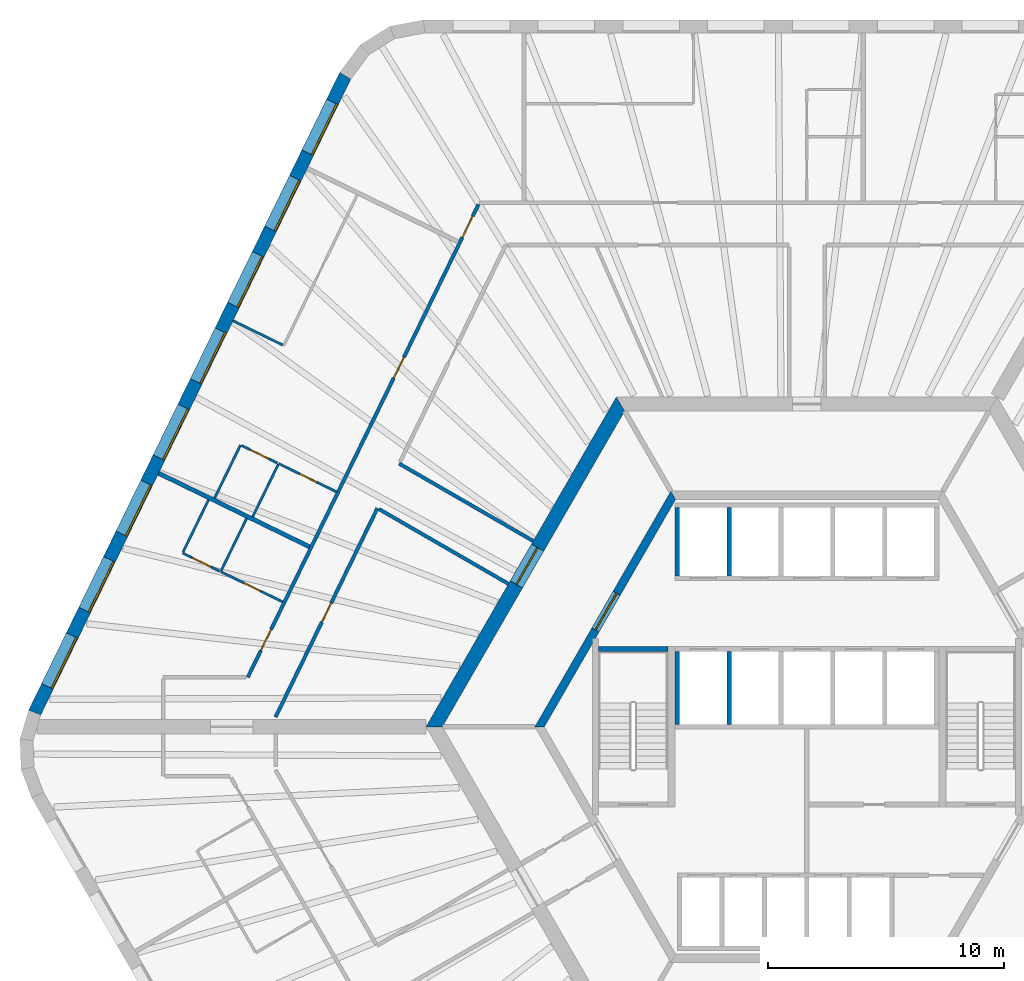
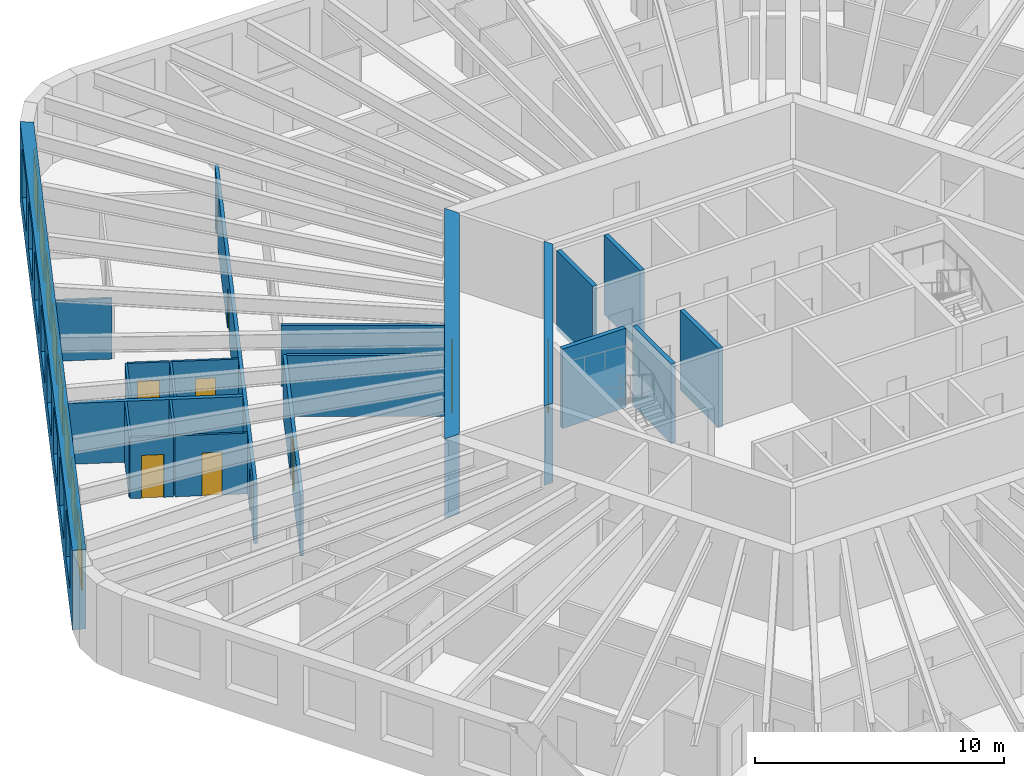
# One storey, part 7 of 12: 22 walls, 10 doors, 8 windows, 18 openings.
"""IFC4 building model written with IfcOpenShell, lengths in metres."""

from ifc_helpers import new_model, si_unit, direction, frame, frame_2d, origin, place, context, subcontext, project, spatial, polyline, rectangle, outline, extrude, material, layer, layer_set, type_object, element, fill, save


model = new_model("IFC4")

# Units and contexts
model_context = context("Model", 3, precision=1e-05, world=origin(), true_north=direction((0.0, 1.0)))
body_context = subcontext(model_context, "Body", "Model", "MODEL_VIEW")
ifc_project = project(units=[si_unit("LENGTHUNIT", "METRE"), si_unit("AREAUNIT", "SQUARE_METRE"), si_unit("VOLUMEUNIT", "CUBIC_METRE"), si_unit("PLANEANGLEUNIT", "RADIAN"), si_unit("MASSUNIT", "GRAM", prefix="KILO")], contexts=[model_context])

# Site, building, storey
site_placement = place(None, origin())
site = spatial("IfcSite", under=ifc_project, at=site_placement, CompositionType="ELEMENT")
building_placement = place(site_placement, origin())
building = spatial("IfcBuilding", under=site, at=building_placement, Name="Tarnside Tower", CompositionType="ELEMENT")
storey_placement = place(building_placement, frame((0.0, 0.0, 96.0)))
storey = spatial("IfcBuildingStorey", under=building, at=storey_placement, Name="L21", CompositionType="ELEMENT", Elevation=96.0)

# Wall, opening, door
ifc_material_1 = material(Name="Gypsum board partition on steel studs", Category="steel")
ifc_layer_1 = layer(ifc_material_1, 0.10009765625)
ifc_layer_set_1 = layer_set([ifc_layer_1], Name="Bathroom wall 100")
wall_type_1 = type_object("IfcWallType", Name="Bathroom wall 100", PredefinedType="PARTITIONING", material=ifc_layer_set_1)
wall_1_placement = place(storey_placement, frame((-22.42236328125, 11.1708984375, 0.0), z_axis=(0.0, 0.0, 1.0), x_axis=(0.898791692788, -0.43837597217, 0.0)))
wall_1 = element("IfcWall", 1, at=wall_1_placement, inside=storey, type_object=wall_type_1, Name="Bathroom wall 06095", PredefinedType="PARTITIONING", context=body_context, shape_type="SweptSolid", body=[
    extrude(rectangle(XDim=2.72509765625, YDim=0.10009765625, at=frame_2d((1.362548828125, 0.0))), origin(), (0.0, 0.0, 1.0), 2.98779296875),
])
opening_1_placement = place(wall_1_placement, frame((1.0, 0.0, 0.0)))
opening_1 = element("IfcOpeningElement", 2, at=opening_1_placement, cuts=wall_1, Name="Opening D-B1", PredefinedType="OPENING", context=body_context, shape_type="SweptSolid", body=[
    extrude(rectangle(XDim=0.800048828125, YDim=2.10009765625, at=frame_2d((0.39990234375, 1.050048828125))), frame((0.0, 0.06005859375, 0.0), z_axis=(0.0, -1.0, 0.0), x_axis=(1.0, 0.0, 0.0)), (0.0, 0.0, 1.0), 0.1201171875),
])
ifc_material_2 = material(Name="Timber door leaf", Category="wood")
door_type_1 = type_object("IfcDoorType", Name="Bathroom door 800", OperationType="NOTDEFINED", PredefinedType="DOOR", material=ifc_material_2)
door_1_placement = place(opening_1_placement, origin())
door_1 = element("IfcDoor", 3, at=door_1_placement, inside=storey, type_object=door_type_1, Name="Bathroom door 06010", OperationType="SINGLE_SWING_LEFT", OverallHeight=2.10009765625, OverallWidth=0.800048828125, PredefinedType="DOOR", context=body_context, shape_type="SweptSolid", body=[
    extrude(rectangle(XDim=0.800048828125, YDim=2.10009765625, at=frame_2d((0.39990234375, 1.050048828125))), frame((0.0, 0.02490234375, 0.0), z_axis=(0.0, -1.0, 0.0), x_axis=(1.0, 0.0, 0.0)), (0.0, 0.0, 1.0), 0.050048828125),
])
fill(opening_1, door_1)

# Wall
wall_2_placement = place(storey_placement, frame((-22.444091796875, 11.1259765625, 0.0), z_axis=(0.0, 0.0, 1.0), x_axis=(-0.438378657462, -0.89879038306, 0.0)))
element("IfcWall", 4, at=wall_2_placement, inside=storey, type_object=wall_type_1, Name="Bathroom wall 06102", PredefinedType="PARTITIONING", context=body_context, shape_type="SweptSolid", body=[
    extrude(rectangle(XDim=2.4599609375, YDim=0.10009765625, at=frame_2d((1.22998046875, 0.0))), origin(), (0.0, 0.0, 1.0), 2.98779296875),
])

# Wall, opening, door
wall_3_placement = place(storey_placement, frame((-22.25244140625, 5.302734375, 0.0), z_axis=(0.0, 0.0, 1.0), x_axis=(-0.89880694479, 0.438344699976, 0.0)))
wall_3 = element("IfcWall", 5, at=wall_3_placement, inside=storey, type_object=wall_type_1, Name="Bathroom wall 06106", PredefinedType="PARTITIONING", context=body_context, shape_type="SweptSolid", body=[
    extrude(rectangle(XDim=2.925048828125, YDim=0.10009765625, at=frame_2d((1.46240234375, 0.0))), origin(), (0.0, 0.0, 1.0), 2.98779296875),
])
opening_2_placement = place(wall_3_placement, frame((1.02490234375, 0.0, 0.0)))
opening_2 = element("IfcOpeningElement", 6, at=opening_2_placement, cuts=wall_3, Name="Opening D-B1", PredefinedType="OPENING", context=body_context, shape_type="SweptSolid", body=[
    extrude(rectangle(XDim=0.800048828125, YDim=2.10009765625, at=frame_2d((0.39990234375, 1.050048828125))), frame((0.0, 0.06005859375, 0.0), z_axis=(0.0, -1.0, 0.0), x_axis=(1.0, 0.0, 0.0)), (0.0, 0.0, 1.0), 0.1201171875),
])
door_2_placement = place(opening_2_placement, origin())
door_2 = element("IfcDoor", 7, at=door_2_placement, inside=storey, type_object=door_type_1, Name="Bathroom door 06014", OperationType="SINGLE_SWING_RIGHT", OverallHeight=2.10009765625, OverallWidth=0.800048828125, PredefinedType="DOOR", context=body_context, shape_type="SweptSolid", body=[
    extrude(rectangle(XDim=0.800048828125, YDim=2.10009765625, at=frame_2d((0.39990234375, 1.050048828125))), frame((0.0, 0.02490234375, 0.0), z_axis=(0.0, -1.0, 0.0), x_axis=(1.0, 0.0, 0.0)), (0.0, 0.0, 1.0), 0.050048828125),
])
fill(opening_2, door_2)

# Wall
wall_4_placement = place(storey_placement, frame((-23.78125, 8.8408203125, 0.0), z_axis=(0.0, 0.0, 1.0), x_axis=(-0.438378657462, -0.89879038306, 0.0)))
element("IfcWall", 8, at=wall_4_placement, inside=storey, type_object=wall_type_1, Name="Bathroom wall 06109", PredefinedType="PARTITIONING", context=body_context, shape_type="SweptSolid", body=[
    extrude(rectangle(XDim=2.4599609375, YDim=0.10009765625, at=frame_2d((1.22998046875, 0.0))), origin(), (0.0, 0.0, 1.0), 2.98779296875),
])

# Wall, opening, door
ifc_material_3 = material(Name="Concrete C50/60", Category="concrete")
ifc_layer_2 = layer(ifc_material_3, 0.35009765625)
ifc_layer_set_2 = layer_set([ifc_layer_2], Name="Core block wall 350 C50/60")
wall_type_2 = type_object("IfcWallType", Name="Core block wall 350 C50/60", PredefinedType="SHEAR", material=ifc_layer_set_2)
wall_5_placement = place(storey_placement, frame((-5.672607421875, 9.824951171875, -0.14990234375), z_axis=(0.0, 0.0, 1.0), x_axis=(-0.499995046907, -0.866028263435, 0.0)))
wall_5 = element("IfcWall", 9, at=wall_5_placement, inside=storey, type_object=wall_type_2, Name="L21 core block wall face 2", PredefinedType="SHEAR", context=body_context, shape_type="SweptSolid", body=[
    extrude(outline(polyline([(-0.10107421875, -0.175048828125), (11.44580078125, -0.175048828125), (11.24365234375, 0.175048828125), (0.10107421875, 0.175048828125), (-0.10107421875, -0.175048828125)])), origin(), (0.0, 0.0, 1.0), 3.89990234375),
])
opening_3_placement = place(wall_5_placement, frame((4.80126953125, 0.0, 0.14990234375)))
opening_3 = element("IfcOpeningElement", 10, at=opening_3_placement, cuts=wall_5, Name="Opening CD-LOB", PredefinedType="OPENING", context=body_context, shape_type="SweptSolid", body=[
    extrude(rectangle(XDim=1.800048828125, YDim=2.39990234375, at=frame_2d((0.89990234375, 1.199951171875))), frame((0.0, 0.18505859375, 0.0), z_axis=(0.0, -1.0, 0.0), x_axis=(1.0, 0.0, 0.0)), (0.0, 0.0, 1.0), 0.3701171875),
])
ifc_material_4 = material(Name="Steel fire door", Category="steel")
door_type_2 = type_object("IfcDoorType", Name="Lobby double door FD30S 1800x2400", OperationType="NOTDEFINED", PredefinedType="DOOR", material=ifc_material_4)
door_3_placement = place(opening_3_placement, origin())
door_3 = element("IfcDoor", 11, at=door_3_placement, inside=storey, type_object=door_type_2, Name="L21 lobby block door P1", OperationType="DOUBLE_DOOR_SINGLE_SWING", OverallHeight=2.39990234375, OverallWidth=1.800048828125, PredefinedType="DOOR", context=body_context, shape_type="SweptSolid", body=[
    extrude(rectangle(XDim=1.800048828125, YDim=2.39990234375, at=frame_2d((0.89990234375, 1.199951171875))), frame((0.0, 0.02490234375, 0.0), z_axis=(0.0, -1.0, 0.0), x_axis=(1.0, 0.0, 0.0)), (0.0, 0.0, 1.0), 0.050048828125),
])
fill(opening_3, door_3)

ifc_material_5 = material(Name="Concrete C80/95", Category="concrete")
ifc_layer_3 = layer(ifc_material_5, 0.60009765625)
ifc_layer_set_3 = layer_set([ifc_layer_3], Name="Core wall Z1 600 C80/95")
wall_type_3 = type_object("IfcWallType", Name="Core wall Z1 600 C80/95", PredefinedType="SHEAR", material=ifc_layer_set_3)
wall_6_placement = place(storey_placement, frame((-7.90966796875, 13.699951171875, -0.14990234375), z_axis=(0.0, 0.0, 1.0), x_axis=(-0.499999880136, -0.866025472988, 0.0)))
wall_6 = element("IfcWall", 12, at=wall_6_placement, inside=storey, type_object=wall_type_3, Name="L21 core wall face 2", PredefinedType="SHEAR", context=body_context, shape_type="SweptSolid", body=[
    extrude(outline(polyline([(-0.17333984375, -0.300048828125), (15.99267578125, -0.300048828125), (15.64599609375, 0.300048828125), (0.17333984375, 0.300048828125), (-0.17333984375, -0.300048828125)])), origin(), (0.0, 0.0, 1.0), 3.89990234375),
])
opening_4_placement = place(wall_6_placement, frame((7.03857421875, 0.0, 0.14990234375)))
opening_4 = element("IfcOpeningElement", 13, at=opening_4_placement, cuts=wall_6, Name="Opening CD-LOB", PredefinedType="OPENING", context=body_context, shape_type="SweptSolid", body=[
    extrude(rectangle(XDim=1.800048828125, YDim=2.39990234375, at=frame_2d((0.89990234375, 1.199951171875))), frame((0.0, 0.31005859375, 0.0), z_axis=(0.0, -1.0, 0.0), x_axis=(1.0, 0.0, 0.0)), (0.0, 0.0, 1.0), 0.6201171875),
])
door_4_placement = place(opening_4_placement, origin())
door_4 = element("IfcDoor", 14, at=door_4_placement, inside=storey, type_object=door_type_2, Name="L21 core door P1", OperationType="DOUBLE_DOOR_SINGLE_SWING", OverallHeight=2.39990234375, OverallWidth=1.800048828125, PredefinedType="DOOR", context=body_context, shape_type="SweptSolid", body=[
    extrude(rectangle(XDim=1.800048828125, YDim=2.39990234375, at=frame_2d((0.89990234375, 1.199951171875))), frame((0.0, 0.02490234375, 0.0), z_axis=(0.0, -1.0, 0.0), x_axis=(1.0, 0.0, 0.0)), (0.0, 0.0, 1.0), 0.050048828125),
])
fill(opening_4, door_4)

# Wall, openings, doors
ifc_layer_4 = layer(ifc_material_1, 0.14990234375)
ifc_layer_set_4 = layer_set([ifc_layer_4], Name="Corridor wall 150 EI 60")
wall_type_4 = type_object("IfcWallType", Name="Corridor wall 150 EI 60", PredefinedType="PARTITIONING", material=ifc_layer_set_4)
wall_7_placement = place(storey_placement, frame((-13.93994140625, 22.175048828125, 0.0), z_axis=(0.0, 0.0, 1.0), x_axis=(-0.438373022655, -0.898793131376, 0.0)))
wall_7 = element("IfcWall", 15, at=wall_7_placement, inside=storey, type_object=wall_type_4, Name="Corridor wall 06008", PredefinedType="PARTITIONING", context=body_context, shape_type="SweptSolid", body=[
    extrude(rectangle(XDim=22.33544921875, YDim=0.14990234375, at=frame_2d((11.167724609375, 0.0))), origin(), (0.0, 0.0, 1.0), 2.98779296875),
])
opening_5_placement = place(wall_7_placement, frame((0.558837890625, 0.0, 0.0)))
opening_5 = element("IfcOpeningElement", 16, at=opening_5_placement, cuts=wall_7, Name="Opening D-E1", PredefinedType="OPENING", context=body_context, shape_type="SweptSolid", body=[
    extrude(rectangle(XDim=1.0, YDim=2.10009765625, at=frame_2d((0.5, 1.050048828125))), frame((0.0, 0.0849609375, 0.0), z_axis=(0.0, -1.0, 0.0), x_axis=(1.0, 0.0, 0.0)), (0.0, 0.0, 1.0), 0.169921875),
])
opening_6_placement = place(wall_7_placement, frame((7.208740234375, 0.0, 0.0)))
opening_6 = element("IfcOpeningElement", 17, at=opening_6_placement, cuts=wall_7, Name="Opening D-E1", PredefinedType="OPENING", context=body_context, shape_type="SweptSolid", body=[
    extrude(rectangle(XDim=1.0, YDim=2.10009765625, at=frame_2d((0.5, 1.050048828125))), frame((0.0, 0.0849609375, 0.0), z_axis=(0.0, -1.0, 0.0), x_axis=(1.0, 0.0, 0.0)), (0.0, 0.0, 1.0), 0.169921875),
])
opening_7_placement = place(wall_7_placement, frame((20.072021484375, 0.0, 0.0)))
opening_7 = element("IfcOpeningElement", 18, at=opening_7_placement, cuts=wall_7, Name="Opening D-E1", PredefinedType="OPENING", context=body_context, shape_type="SweptSolid", body=[
    extrude(rectangle(XDim=1.0, YDim=2.10009765625, at=frame_2d((0.5, 1.050048828125))), frame((0.0, 0.0849609375, 0.0), z_axis=(0.0, -1.0, 0.0), x_axis=(1.0, 0.0, 0.0)), (0.0, 0.0, 1.0), 0.169921875),
])
door_type_3 = type_object("IfcDoorType", Name="Unit entrance door 1000 FD30S", OperationType="NOTDEFINED", PredefinedType="DOOR", material=ifc_material_2)
door_5_placement = place(opening_5_placement, origin())
door_5 = element("IfcDoor", 19, at=door_5_placement, inside=storey, type_object=door_type_3, Name="Unit door 06008", OperationType="SINGLE_SWING_LEFT", OverallHeight=2.10009765625, OverallWidth=1.0, PredefinedType="DOOR", context=body_context, shape_type="SweptSolid", body=[
    extrude(rectangle(XDim=1.0, YDim=2.10009765625, at=frame_2d((0.5, 1.050048828125))), frame((0.0, 0.02490234375, 0.0), z_axis=(0.0, -1.0, 0.0), x_axis=(1.0, 0.0, 0.0)), (0.0, 0.0, 1.0), 0.050048828125),
])
fill(opening_5, door_5)
door_6_placement = place(opening_6_placement, origin())
door_6 = element("IfcDoor", 20, at=door_6_placement, inside=storey, type_object=door_type_3, Name="Unit door 06009", OperationType="SINGLE_SWING_LEFT", OverallHeight=2.10009765625, OverallWidth=1.0, PredefinedType="DOOR", context=body_context, shape_type="SweptSolid", body=[
    extrude(rectangle(XDim=1.0, YDim=2.10009765625, at=frame_2d((0.5, 1.050048828125))), frame((0.0, 0.02490234375, 0.0), z_axis=(0.0, -1.0, 0.0), x_axis=(1.0, 0.0, 0.0)), (0.0, 0.0, 1.0), 0.050048828125),
])
fill(opening_6, door_6)
door_7_placement = place(opening_7_placement, origin())
door_7 = element("IfcDoor", 21, at=door_7_placement, inside=storey, type_object=door_type_3, Name="Unit door 06013", OperationType="SINGLE_SWING_LEFT", OverallHeight=2.10009765625, OverallWidth=1.0, PredefinedType="DOOR", context=body_context, shape_type="SweptSolid", body=[
    extrude(rectangle(XDim=1.0, YDim=2.10009765625, at=frame_2d((0.5, 1.050048828125))), frame((0.0, 0.02490234375, 0.0), z_axis=(0.0, -1.0, 0.0), x_axis=(1.0, 0.0, 0.0)), (0.0, 0.0, 1.0), 0.050048828125),
])
fill(opening_7, door_7)

# Wall
wall_8_placement = place(storey_placement, frame((-11.61376953125, 7.88427734375, 0.0), z_axis=(0.0, 0.0, 1.0), x_axis=(-0.866025963225, 0.49999903102, 0.0)))
element("IfcWall", 22, at=wall_8_placement, inside=storey, type_object=wall_type_4, Name="Corridor wall 06017", PredefinedType="PARTITIONING", context=body_context, shape_type="SweptSolid", body=[
    extrude(rectangle(XDim=6.5712890625, YDim=0.14990234375, at=frame_2d((3.28564453125, 0.0))), origin(), (0.0, 0.0, 1.0), 2.98779296875),
])

# Wall, opening, door
wall_9_placement = place(storey_placement, frame((-22.552734375, 0.41015625, 0.0), z_axis=(0.0, 0.0, 1.0), x_axis=(0.438382679221, 0.898788421465, 0.0)))
wall_9 = element("IfcWall", 23, at=wall_9_placement, inside=storey, type_object=wall_type_4, Name="Corridor wall 06023", PredefinedType="PARTITIONING", context=body_context, shape_type="SweptSolid", body=[
    extrude(rectangle(XDim=9.8662109375, YDim=0.14990234375, at=frame_2d((4.93310546875, 0.0))), origin(), (0.0, 0.0, 1.0), 2.98779296875),
])
opening_8_placement = place(wall_9_placement, frame((4.483154296875, 0.0, 0.0)))
opening_8 = element("IfcOpeningElement", 24, at=opening_8_placement, cuts=wall_9, Name="Opening D-S1", PredefinedType="OPENING", context=body_context, shape_type="SweptSolid", body=[
    extrude(rectangle(XDim=0.89990234375, YDim=2.10009765625, at=frame_2d((0.449951171875, 1.050048828125))), frame((0.0, 0.0849609375, 0.0), z_axis=(0.0, -1.0, 0.0), x_axis=(1.0, 0.0, 0.0)), (0.0, 0.0, 1.0), 0.169921875),
])
door_type_4 = type_object("IfcDoorType", Name="Service room door 900 FD30S", OperationType="NOTDEFINED", PredefinedType="DOOR", material=ifc_material_2)
door_8_placement = place(opening_8_placement, origin())
door_8 = element("IfcDoor", 25, at=door_8_placement, inside=storey, type_object=door_type_4, Name="Service door 06045", OperationType="SINGLE_SWING_RIGHT", OverallHeight=2.10009765625, OverallWidth=0.89990234375, PredefinedType="DOOR", context=body_context, shape_type="SweptSolid", body=[
    extrude(rectangle(XDim=0.89990234375, YDim=2.10009765625, at=frame_2d((0.449951171875, 1.050048828125))), frame((0.0, 0.02490234375, 0.0), z_axis=(0.0, -1.0, 0.0), x_axis=(1.0, 0.0, 0.0)), (0.0, 0.0, 1.0), 0.050048828125),
])
fill(opening_8, door_8)

# Walls
wall_10_placement = place(storey_placement, frame((-18.162353515625, 9.240234375, 0.0), z_axis=(0.0, 0.0, 1.0), x_axis=(0.866026781814, -0.499997613175, 0.0)))
element("IfcWall", 26, at=wall_10_placement, inside=storey, type_object=wall_type_4, Name="Corridor wall 06024", PredefinedType="PARTITIONING", context=body_context, shape_type="SweptSolid", body=[
    extrude(rectangle(XDim=6.34912109375, YDim=0.14990234375, at=frame_2d((3.174560546875, 0.0))), origin(), (0.0, 0.0, 1.0), 2.98779296875),
])
ifc_layer_5 = layer(ifc_material_1, 0.179931640625)
ifc_layer_set_5 = layer_set([ifc_layer_5], Name="Demising wall 180 EI 60")
wall_type_5 = type_object("IfcWallType", Name="Demising wall 180 EI 60", PredefinedType="PARTITIONING", material=ifc_layer_set_5)
wall_11_placement = place(storey_placement, frame((-27.5166015625, 10.762939453125, 0.0), z_axis=(0.0, 0.0, 1.0), x_axis=(0.898783593711, -0.438392577123, 0.0)))
element("IfcWall", 27, at=wall_11_placement, inside=storey, type_object=wall_type_5, Name="Demising wall 06100", PredefinedType="PARTITIONING", context=body_context, shape_type="SweptSolid", body=[
    extrude(rectangle(XDim=7.125, YDim=0.179931640625, at=frame_2d((3.5625, 0.0))), origin(), (0.0, 0.0, 1.0), 2.98779296875),
])
ifc_material_6 = material(Name="Concrete C40/50", Category="concrete")
ifc_layer_6 = layer(ifc_material_6, 0.199951171875)
ifc_layer_set_6 = layer_set([ifc_layer_6], Name="Lift shaft wall 200 C40/50")
wall_type_6 = type_object("IfcWallType", Name="Lift shaft wall 200 C40/50", PredefinedType="SHEAR", material=ifc_layer_set_6)
for number, where, z_axis, x_axis, name in (
    (28, (-5.5, 6.39990234375, -0.25), (0.0, 0.0, 1.0), (0.0, 1.0, 0.0), "L21 lift shaft partition R11"),
    (29, (-3.300048828125, 6.39990234375, -0.25), (0.0, 0.0, 1.0), (0.0, 1.0, 0.0), "L21 lift shaft partition R12"),
):
    element("IfcWall", number, at=place(storey_placement, frame(where, z_axis=z_axis, x_axis=x_axis)), inside=storey, type_object=wall_type_6, Name=name, PredefinedType="SHEAR", context=body_context, shape_type="SweptSolid", body=[
        extrude(rectangle(XDim=2.900146484375, YDim=0.199951171875, at=frame_2d((1.4501953125, 0.0))), origin(), (0.0, 0.0, 1.0), 3.89990234375),
    ])
for number, where, z_axis, x_axis, name in (
    (30, (-5.5, 0.10009765625, -0.25), (0.0, 0.0, 1.0), (0.0, 1.0, 0.0), "L21 lift shaft partition R21"),
    (31, (-3.300048828125, 0.10009765625, -0.25), (0.0, 0.0, 1.0), (0.0, 1.0, 0.0), "L21 lift shaft partition R22"),
):
    element("IfcWall", number, at=place(storey_placement, frame(where, z_axis=z_axis, x_axis=x_axis)), inside=storey, type_object=wall_type_6, Name=name, PredefinedType="SHEAR", context=body_context, shape_type="SweptSolid", body=[
        extrude(rectangle(XDim=3.099853515625, YDim=0.199951171875, at=frame_2d((1.5498046875, 0.0))), origin(), (0.0, 0.0, 1.0), 3.89990234375),
    ])
wall_12_placement = place(storey_placement, frame((-8.85009765625, 3.300048828125, -0.25), z_axis=(0.0, 0.0, 1.0), x_axis=(1.0, 0.0, 0.0)))
element("IfcWall", 32, at=wall_12_placement, inside=storey, type_object=wall_type_6, Name="L21 stair 2 enclosure cap wall n", PredefinedType="SHEAR", context=body_context, shape_type="SweptSolid", body=[
    extrude(rectangle(XDim=2.9501953125, YDim=0.199951171875, at=frame_2d((1.47509765625, 0.0))), origin(), (0.0, 0.0, 1.0), 3.89990234375),
])
ifc_layer_7 = layer(ifc_material_1, 0.10009765625)
ifc_layer_set_7 = layer_set([ifc_layer_7], Name="Partition 100")
wall_type_7 = type_object("IfcWallType", Name="Partition 100", PredefinedType="PARTITIONING", material=ifc_layer_set_7)
wall_13_placement = place(storey_placement, frame((-25.140380859375, 9.7041015625, 0.0), z_axis=(0.0, 0.0, 1.0), x_axis=(0.438398718232, 0.898780598284, 0.0)))
element("IfcWall", 33, at=wall_13_placement, inside=storey, type_object=wall_type_7, Name="Partition wall 06096", PredefinedType="PARTITIONING", context=body_context, shape_type="SweptSolid", body=[
    extrude(rectangle(XDim=2.510009765625, YDim=0.10009765625, at=frame_2d((1.2548828125, 0.0))), origin(), (0.0, 0.0, 1.0), 2.98779296875),
])

# Wall, opening, door
wall_14_placement = place(storey_placement, frame((-23.9951171875, 11.93798828125, 0.0), z_axis=(0.0, 0.0, 1.0), x_axis=(0.898807091918, -0.438344398296, 0.0)))
wall_14 = element("IfcWall", 34, at=wall_14_placement, inside=storey, type_object=wall_type_7, Name="Partition wall 06097", PredefinedType="PARTITIONING", context=body_context, shape_type="SweptSolid", body=[
    extrude(rectangle(XDim=1.699951171875, YDim=0.10009765625, at=frame_2d((0.85009765625, 0.0))), origin(), (0.0, 0.0, 1.0), 2.98779296875),
])
opening_9_placement = place(wall_14_placement, frame((0.39990234375, 0.0, 0.0)))
opening_9 = element("IfcOpeningElement", 35, at=opening_9_placement, cuts=wall_14, Name="Opening D-I1", PredefinedType="OPENING", context=body_context, shape_type="SweptSolid", body=[
    extrude(rectangle(XDim=0.89990234375, YDim=2.10009765625, at=frame_2d((0.449951171875, 1.050048828125))), frame((0.0, 0.06005859375, 0.0), z_axis=(0.0, -1.0, 0.0), x_axis=(1.0, 0.0, 0.0)), (0.0, 0.0, 1.0), 0.1201171875),
])
door_type_5 = type_object("IfcDoorType", Name="Internal door 900", OperationType="NOTDEFINED", PredefinedType="DOOR", material=ifc_material_2)
door_9_placement = place(opening_9_placement, origin())
door_9 = element("IfcDoor", 36, at=door_9_placement, inside=storey, type_object=door_type_5, Name="Internal door 06011", OperationType="SINGLE_SWING_RIGHT", OverallHeight=2.10009765625, OverallWidth=0.89990234375, PredefinedType="DOOR", context=body_context, shape_type="SweptSolid", body=[
    extrude(rectangle(XDim=0.89990234375, YDim=2.10009765625, at=frame_2d((0.449951171875, 1.050048828125))), frame((0.0, 0.02490234375, 0.0), z_axis=(0.0, -1.0, 0.0), x_axis=(1.0, 0.0, 0.0)), (0.0, 0.0, 1.0), 0.050048828125),
])
fill(opening_9, door_9)

# Wall
wall_15_placement = place(storey_placement, frame((-22.248291015625, 16.2041015625, 0.0), z_axis=(0.0, 0.0, 1.0), x_axis=(-0.898809381275, 0.438339704034, 0.0)))
element("IfcWall", 37, at=wall_15_placement, inside=storey, type_object=wall_type_7, Name="Partition wall 06099", PredefinedType="PARTITIONING", context=body_context, shape_type="SweptSolid", body=[
    extrude(rectangle(XDim=2.349853515625, YDim=0.10009765625, at=frame_2d((1.1748046875, 0.0))), origin(), (0.0, 0.0, 1.0), 2.98779296875),
])

# Wall, opening, door
wall_16_placement = place(storey_placement, frame((-24.926513671875, 6.606689453125, 0.0), z_axis=(0.0, 0.0, 1.0), x_axis=(-0.898737604587, 0.438486850546, 0.0)))
wall_16 = element("IfcWall", 38, at=wall_16_placement, inside=storey, type_object=wall_type_7, Name="Partition wall 06107", PredefinedType="PARTITIONING", context=body_context, shape_type="SweptSolid", body=[
    extrude(rectangle(XDim=1.75, YDim=0.10009765625, at=frame_2d((0.875, 0.0))), origin(), (0.0, 0.0, 1.0), 2.98779296875),
])
opening_10_placement = place(wall_16_placement, frame((0.39990234375, 0.0, 0.0)))
opening_10 = element("IfcOpeningElement", 39, at=opening_10_placement, cuts=wall_16, Name="Opening D-I1", PredefinedType="OPENING", context=body_context, shape_type="SweptSolid", body=[
    extrude(rectangle(XDim=0.89990234375, YDim=2.10009765625, at=frame_2d((0.449951171875, 1.050048828125))), frame((0.0, 0.06005859375, 0.0), z_axis=(0.0, -1.0, 0.0), x_axis=(1.0, 0.0, 0.0)), (0.0, 0.0, 1.0), 0.1201171875),
])
door_10_placement = place(opening_10_placement, origin())
door_10 = element("IfcDoor", 40, at=door_10_placement, inside=storey, type_object=door_type_5, Name="Internal door 06015", OperationType="SINGLE_SWING_RIGHT", OverallHeight=2.10009765625, OverallWidth=0.89990234375, PredefinedType="DOOR", context=body_context, shape_type="SweptSolid", body=[
    extrude(rectangle(XDim=0.89990234375, YDim=2.10009765625, at=frame_2d((0.449951171875, 1.050048828125))), frame((0.0, 0.02490234375, 0.0), z_axis=(0.0, -1.0, 0.0), x_axis=(1.0, 0.0, 0.0)), (0.0, 0.0, 1.0), 0.050048828125),
])
fill(opening_10, door_10)

# Wall
wall_17_placement = place(storey_placement, frame((-26.4775390625, 7.4189453125, 0.0), z_axis=(0.0, 0.0, 1.0), x_axis=(0.438378657462, 0.89879038306, 0.0)))
element("IfcWall", 41, at=wall_17_placement, inside=storey, type_object=wall_type_7, Name="Partition wall 06108", PredefinedType="PARTITIONING", context=body_context, shape_type="SweptSolid", body=[
    extrude(rectangle(XDim=2.4599609375, YDim=0.10009765625, at=frame_2d((1.22998046875, 0.0))), origin(), (0.0, 0.0, 1.0), 2.98779296875),
])

# Wall, openings, windows
ifc_material_7 = material(Name="Facing brick", Category="masonry")
ifc_layer_8 = layer(ifc_material_7, 0.10205078125)
ifc_material_8 = material(Name="Concrete C60/75 precast", Category="concrete")
ifc_layer_9 = layer(ifc_material_8, 0.347900390625)
ifc_material_9 = material(Name="Mineral wool insulation")
ifc_layer_10 = layer(ifc_material_9, 0.10009765625)
ifc_layer_set_8 = layer_set([ifc_layer_8, ifc_layer_9, ifc_layer_10], Name="Tube wall 550 brick faced")
wall_type_8 = type_object("IfcWallType", Name="Tube wall 550 brick faced", PredefinedType="SOLIDWALL", material=ifc_layer_set_8)
wall_18_placement = place(storey_placement, frame((-19.5947265625, 27.6328125, -0.14990234375), z_axis=(0.0, 0.0, 1.0), x_axis=(-0.438368285794, -0.898795441694, 0.0)))
wall_18 = element("IfcWall", 42, at=wall_18_placement, inside=storey, type_object=wall_type_8, Name="Tube wall L21 F2 flush 04", PredefinedType="SOLIDWALL", context=body_context, shape_type="SweptSolid", body=[
    extrude(outline(polyline([(-0.025634765625, -0.27490234375), (30.09326171875, -0.27490234375), (30.04833984375, 0.27490234375), (0.025634765625, 0.27490234375), (-0.025634765625, -0.27490234375)])), origin(), (0.0, 0.0, 1.0), 3.89990234375),
])
opening_11_placement = place(wall_18_placement, frame((1.235595703125, 0.0, 1.050048828125)))
opening_11 = element("IfcOpeningElement", 43, at=opening_11_placement, cuts=wall_18, Name="Opening WH", PredefinedType="OPENING", context=body_context, shape_type="SweptSolid", body=[
    extrude(rectangle(XDim=2.39990234375, YDim=2.39990234375, at=frame_2d((1.199951171875, 1.199951171875))), frame((0.0, 0.28515625, 0.0), z_axis=(0.0, -1.0, 0.0), x_axis=(1.0, 0.0, 0.0)), (0.0, 0.0, 1.0), 0.570068359375),
])
opening_12_placement = place(wall_18_placement, frame((4.83544921875, 0.0, 1.050048828125)))
opening_12 = element("IfcOpeningElement", 44, at=opening_12_placement, cuts=wall_18, Name="Opening WH", PredefinedType="OPENING", context=body_context, shape_type="SweptSolid", body=[
    extrude(rectangle(XDim=2.39990234375, YDim=2.39990234375, at=frame_2d((1.199951171875, 1.199951171875))), frame((0.0, 0.28515625, 0.0), z_axis=(0.0, -1.0, 0.0), x_axis=(1.0, 0.0, 0.0)), (0.0, 0.0, 1.0), 0.570068359375),
])
opening_13_placement = place(wall_18_placement, frame((8.435546875, 0.0, 1.050048828125)))
opening_13 = element("IfcOpeningElement", 45, at=opening_13_placement, cuts=wall_18, Name="Opening WH", PredefinedType="OPENING", context=body_context, shape_type="SweptSolid", body=[
    extrude(rectangle(XDim=2.39990234375, YDim=2.39990234375, at=frame_2d((1.199951171875, 1.199951171875))), frame((0.0, 0.28515625, 0.0), z_axis=(0.0, -1.0, 0.0), x_axis=(1.0, 0.0, 0.0)), (0.0, 0.0, 1.0), 0.570068359375),
])
opening_14_placement = place(wall_18_placement, frame((12.035400390625, 0.0, 1.050048828125)))
opening_14 = element("IfcOpeningElement", 46, at=opening_14_placement, cuts=wall_18, Name="Opening WH", PredefinedType="OPENING", context=body_context, shape_type="SweptSolid", body=[
    extrude(rectangle(XDim=2.39990234375, YDim=2.39990234375, at=frame_2d((1.199951171875, 1.199951171875))), frame((0.0, 0.28515625, 0.0), z_axis=(0.0, -1.0, 0.0), x_axis=(1.0, 0.0, 0.0)), (0.0, 0.0, 1.0), 0.570068359375),
])
opening_15_placement = place(wall_18_placement, frame((15.635498046875, 0.0, 1.050048828125)))
opening_15 = element("IfcOpeningElement", 47, at=opening_15_placement, cuts=wall_18, Name="Opening WH", PredefinedType="OPENING", context=body_context, shape_type="SweptSolid", body=[
    extrude(rectangle(XDim=2.39990234375, YDim=2.39990234375, at=frame_2d((1.199951171875, 1.199951171875))), frame((0.0, 0.28515625, 0.0), z_axis=(0.0, -1.0, 0.0), x_axis=(1.0, 0.0, 0.0)), (0.0, 0.0, 1.0), 0.570068359375),
])
opening_16_placement = place(wall_18_placement, frame((19.235595703125, 0.0, 1.050048828125)))
opening_16 = element("IfcOpeningElement", 48, at=opening_16_placement, cuts=wall_18, Name="Opening WH", PredefinedType="OPENING", context=body_context, shape_type="SweptSolid", body=[
    extrude(rectangle(XDim=2.39990234375, YDim=2.39990234375, at=frame_2d((1.199951171875, 1.199951171875))), frame((0.0, 0.28515625, 0.0), z_axis=(0.0, -1.0, 0.0), x_axis=(1.0, 0.0, 0.0)), (0.0, 0.0, 1.0), 0.570068359375),
])
opening_17_placement = place(wall_18_placement, frame((22.83544921875, 0.0, 1.050048828125)))
opening_17 = element("IfcOpeningElement", 49, at=opening_17_placement, cuts=wall_18, Name="Opening WH", PredefinedType="OPENING", context=body_context, shape_type="SweptSolid", body=[
    extrude(rectangle(XDim=2.39990234375, YDim=2.39990234375, at=frame_2d((1.199951171875, 1.199951171875))), frame((0.0, 0.28515625, 0.0), z_axis=(0.0, -1.0, 0.0), x_axis=(1.0, 0.0, 0.0)), (0.0, 0.0, 1.0), 0.570068359375),
])
opening_18_placement = place(wall_18_placement, frame((26.435546875, 0.0, 1.050048828125)))
opening_18 = element("IfcOpeningElement", 50, at=opening_18_placement, cuts=wall_18, Name="Opening WH", PredefinedType="OPENING", context=body_context, shape_type="SweptSolid", body=[
    extrude(rectangle(XDim=2.39990234375, YDim=2.39990234375, at=frame_2d((1.199951171875, 1.199951171875))), frame((0.0, 0.28515625, 0.0), z_axis=(0.0, -1.0, 0.0), x_axis=(1.0, 0.0, 0.0)), (0.0, 0.0, 1.0), 0.570068359375),
])
ifc_material_10 = material(Name="Aluminium-framed double glazing", Category="aluminium")
window_type = type_object("IfcWindowType", Name="Hotel window 2400 x 2400", PartitioningType="DOUBLE_PANEL_VERTICAL", PredefinedType="WINDOW", material=ifc_material_10)
window_1_placement = place(opening_11_placement, frame((0.0, 0.205078125, 0.0)))
window_1 = element("IfcWindow", 51, at=window_1_placement, inside=storey, type_object=window_type, Name="E.WN.L21.F2.00", OverallHeight=2.39990234375, OverallWidth=2.39990234375, PartitioningType="DOUBLE_PANEL_VERTICAL", PredefinedType="WINDOW", context=body_context, shape_type="SweptSolid", body=[
    extrude(rectangle(XDim=2.39990234375, YDim=2.39990234375, at=frame_2d((1.199951171875, 1.199951171875))), frame((0.0, 0.030029296875, 0.0), z_axis=(0.0, -1.0, 0.0), x_axis=(1.0, 0.0, 0.0)), (0.0, 0.0, 1.0), 0.06005859375),
])
fill(opening_11, window_1)
window_2_placement = place(opening_12_placement, frame((0.0, 0.205078125, 0.0)))
window_2 = element("IfcWindow", 52, at=window_2_placement, inside=storey, type_object=window_type, Name="E.WN.L21.F2.01", OverallHeight=2.39990234375, OverallWidth=2.39990234375, PartitioningType="DOUBLE_PANEL_VERTICAL", PredefinedType="WINDOW", context=body_context, shape_type="SweptSolid", body=[
    extrude(rectangle(XDim=2.39990234375, YDim=2.39990234375, at=frame_2d((1.199951171875, 1.199951171875))), frame((0.0, 0.030029296875, 0.0), z_axis=(0.0, -1.0, 0.0), x_axis=(1.0, 0.0, 0.0)), (0.0, 0.0, 1.0), 0.06005859375),
])
fill(opening_12, window_2)
window_3_placement = place(opening_13_placement, frame((0.0, 0.205078125, 0.0)))
window_3 = element("IfcWindow", 53, at=window_3_placement, inside=storey, type_object=window_type, Name="E.WN.L21.F2.02", OverallHeight=2.39990234375, OverallWidth=2.39990234375, PartitioningType="DOUBLE_PANEL_VERTICAL", PredefinedType="WINDOW", context=body_context, shape_type="SweptSolid", body=[
    extrude(rectangle(XDim=2.39990234375, YDim=2.39990234375, at=frame_2d((1.199951171875, 1.199951171875))), frame((0.0, 0.030029296875, 0.0), z_axis=(0.0, -1.0, 0.0), x_axis=(1.0, 0.0, 0.0)), (0.0, 0.0, 1.0), 0.06005859375),
])
fill(opening_13, window_3)
window_4_placement = place(opening_14_placement, frame((0.0, 0.205078125, 0.0)))
window_4 = element("IfcWindow", 54, at=window_4_placement, inside=storey, type_object=window_type, Name="E.WN.L21.F2.03", OverallHeight=2.39990234375, OverallWidth=2.39990234375, PartitioningType="DOUBLE_PANEL_VERTICAL", PredefinedType="WINDOW", context=body_context, shape_type="SweptSolid", body=[
    extrude(rectangle(XDim=2.39990234375, YDim=2.39990234375, at=frame_2d((1.199951171875, 1.199951171875))), frame((0.0, 0.030029296875, 0.0), z_axis=(0.0, -1.0, 0.0), x_axis=(1.0, 0.0, 0.0)), (0.0, 0.0, 1.0), 0.06005859375),
])
fill(opening_14, window_4)
window_5_placement = place(opening_15_placement, frame((0.0, 0.205078125, 0.0)))
window_5 = element("IfcWindow", 55, at=window_5_placement, inside=storey, type_object=window_type, Name="E.WN.L21.F2.04", OverallHeight=2.39990234375, OverallWidth=2.39990234375, PartitioningType="DOUBLE_PANEL_VERTICAL", PredefinedType="WINDOW", context=body_context, shape_type="SweptSolid", body=[
    extrude(rectangle(XDim=2.39990234375, YDim=2.39990234375, at=frame_2d((1.199951171875, 1.199951171875))), frame((0.0, 0.030029296875, 0.0), z_axis=(0.0, -1.0, 0.0), x_axis=(1.0, 0.0, 0.0)), (0.0, 0.0, 1.0), 0.06005859375),
])
fill(opening_15, window_5)
window_6_placement = place(opening_16_placement, frame((0.0, 0.205078125, 0.0)))
window_6 = element("IfcWindow", 56, at=window_6_placement, inside=storey, type_object=window_type, Name="E.WN.L21.F2.05", OverallHeight=2.39990234375, OverallWidth=2.39990234375, PartitioningType="DOUBLE_PANEL_VERTICAL", PredefinedType="WINDOW", context=body_context, shape_type="SweptSolid", body=[
    extrude(rectangle(XDim=2.39990234375, YDim=2.39990234375, at=frame_2d((1.199951171875, 1.199951171875))), frame((0.0, 0.030029296875, 0.0), z_axis=(0.0, -1.0, 0.0), x_axis=(1.0, 0.0, 0.0)), (0.0, 0.0, 1.0), 0.06005859375),
])
fill(opening_16, window_6)
window_7_placement = place(opening_17_placement, frame((0.0, 0.205078125, 0.0)))
window_7 = element("IfcWindow", 57, at=window_7_placement, inside=storey, type_object=window_type, Name="E.WN.L21.F2.06", OverallHeight=2.39990234375, OverallWidth=2.39990234375, PartitioningType="DOUBLE_PANEL_VERTICAL", PredefinedType="WINDOW", context=body_context, shape_type="SweptSolid", body=[
    extrude(rectangle(XDim=2.39990234375, YDim=2.39990234375, at=frame_2d((1.199951171875, 1.199951171875))), frame((0.0, 0.030029296875, 0.0), z_axis=(0.0, -1.0, 0.0), x_axis=(1.0, 0.0, 0.0)), (0.0, 0.0, 1.0), 0.06005859375),
])
fill(opening_17, window_7)
window_8_placement = place(opening_18_placement, frame((0.0, 0.205078125, 0.0)))
window_8 = element("IfcWindow", 58, at=window_8_placement, inside=storey, type_object=window_type, Name="E.WN.L21.F2.07", OverallHeight=2.39990234375, OverallWidth=2.39990234375, PartitioningType="DOUBLE_PANEL_VERTICAL", PredefinedType="WINDOW", context=body_context, shape_type="SweptSolid", body=[
    extrude(rectangle(XDim=2.39990234375, YDim=2.39990234375, at=frame_2d((1.199951171875, 1.199951171875))), frame((0.0, 0.030029296875, 0.0), z_axis=(0.0, -1.0, 0.0), x_axis=(1.0, 0.0, 0.0)), (0.0, 0.0, 1.0), 0.06005859375),
])
fill(opening_18, window_8)

save(model, "model.ifc")
